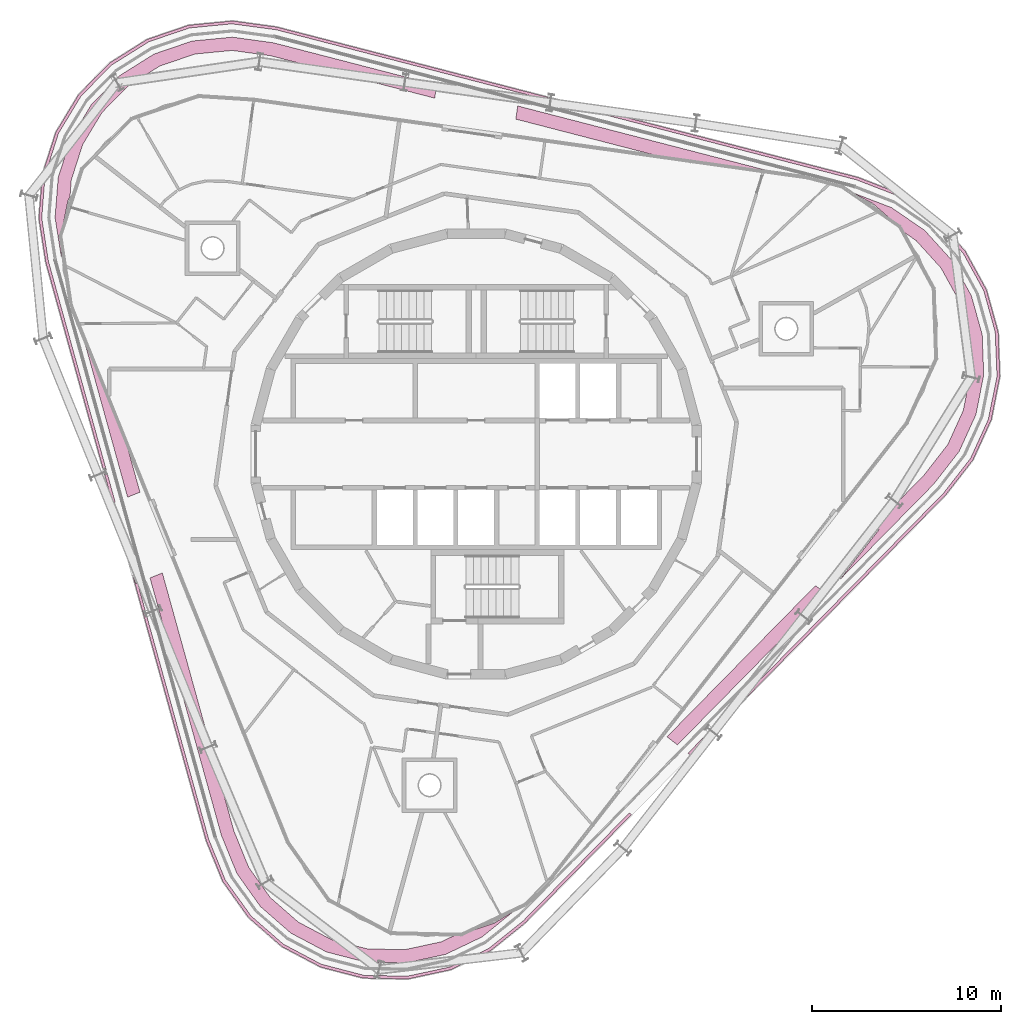
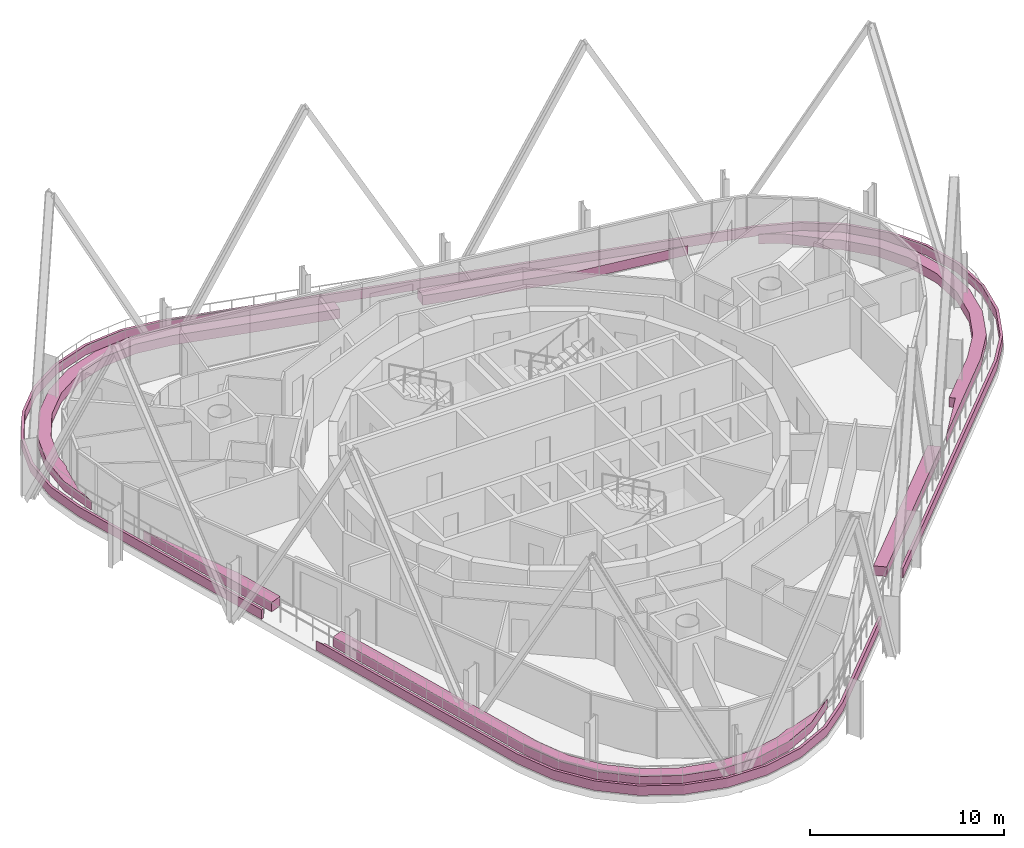
# One storey, part 17 of 17: 8 furniture elements.
"""IFC4 building model written with IfcOpenShell, lengths in metres."""

from ifc_helpers import new_model, si_unit, direction, frame, origin, place, context, subcontext, project, spatial, polyline, outline, extrude, element, save


model = new_model("IFC4")

# Units and contexts
model_context = context("Model", 3, precision=1e-05, world=origin(), true_north=direction((0.0, 1.0)))
body_context = subcontext(model_context, "Body", "Model", "MODEL_VIEW")
ifc_project = project(units=[si_unit("LENGTHUNIT", "METRE"), si_unit("AREAUNIT", "SQUARE_METRE"), si_unit("VOLUMEUNIT", "CUBIC_METRE"), si_unit("PLANEANGLEUNIT", "RADIAN"), si_unit("MASSUNIT", "GRAM", prefix="KILO")], contexts=[model_context])

# Site, building, storey
site_placement = place(None, origin())
site = spatial("IfcSite", under=ifc_project, at=site_placement, CompositionType="ELEMENT")
building_placement = place(site_placement, origin())
building = spatial("IfcBuilding", under=site, at=building_placement, Name="Spindle Arch Residences", CompositionType="ELEMENT")
storey_placement = place(building_placement, frame((0.0, 0.0, 333.0)))
storey = spatial("IfcBuildingStorey", under=building, at=storey_placement, Name="L85", CompositionType="ELEMENT", Elevation=333.0)

# Furniture
furniture_1_placement = place(storey_placement, frame((0.0, 0.0, 0.030029296875)))
element("IfcFurniture", 1, at=furniture_1_placement, inside=storey, Name="PLANTER L84 1", ObjectType="PLANTER", PredefinedType="USERDEFINED", context=body_context, shape_type="SweptSolid", body=[
    extrude(outline(polyline([(-1.344970703125, -27.257080078125), (-3.6259765625, -27.748779296875), (-5.958984375, -27.701416015625), (-8.218017578125, -27.1171875), (-10.281494140625, -26.027587890625), (-12.0380859375, -24.49169921875), (-13.39306640625, -22.592041015625), (-14.274658203125, -20.428466796875), (-18.16796875, -6.388916015625), (-17.983154296875, -6.8466796875), (-17.895263671875, -6.81103515625), (-14.1376953125, -20.360107421875), (-13.260009765625, -22.515380859375), (-11.895263671875, -24.417236328125), (-10.192138671875, -25.90283203125), (-8.197021484375, -26.95849609375), (-5.94091796875, -27.548828125), (-3.6435546875, -27.59619140625), (-1.3974609375, -27.11279296875), (0.6435546875, -26.142333984375), (2.4921875, -24.66357421875), (8.090087890625, -18.96728515625), (8.209228515625, -19.060302734375), (2.580810546875, -24.78759765625), (0.760986328125, -26.25244140625), (-1.344970703125, -27.257080078125)])), origin(), (0.0, 0.0, 1.0), 0.599853515625),
])
furniture_2_placement = place(storey_placement, frame((0.0, 0.0, 0.030029296875)))
element("IfcFurniture", 2, at=furniture_2_placement, inside=storey, Name="PLANTER L84 2", ObjectType="PLANTER", PredefinedType="USERDEFINED", context=body_context, shape_type="SweptSolid", body=[
    extrude(outline(polyline([(-22.757080078125, 10.15869140625), (-23.11572265625, 12.46728515625), (-22.932861328125, 14.79345703125), (-22.21826171875, 17.0146484375), (-21.010498046875, 19.01123046875), (-19.375, 20.675537109375), (-17.39990234375, 21.917724609375), (-15.19140625, 22.671142578125), (-12.86865234375, 22.894775390625), (-10.55419921875, 22.576171875), (20.176025390625, 14.62890625), (22.354736328125, 13.785400390625), (24.27783203125, 12.463623046875), (25.84423828125, 10.734130859375), (26.969482421875, 8.68994140625), (27.593017578125, 6.44140625), (27.681396484375, 4.10986328125), (27.2294921875, 1.820556640625), (26.26171875, -0.302734375), (24.828857421875, -2.14794921875), (11.31298828125, -15.901611328125), (11.194091796875, -15.80859375), (24.703369140625, -2.0615234375), (26.12890625, -0.225830078125), (27.068603515625, 1.82958984375), (27.528076171875, 4.118896484375), (27.432861328125, 6.457763671875), (26.826171875, 8.634765625), (25.740966796875, 10.610595703125), (24.14697265625, 12.371337890625), (22.280517578125, 13.65087890625), (20.1103515625, 14.490966796875), (-10.56640625, 22.42431640625), (-12.91259765625, 22.73974609375), (-15.15625, 22.521728515625), (-17.296142578125, 21.794677734375), (-19.276611328125, 20.557861328125), (-20.89111328125, 18.914794921875), (-22.07958984375, 16.948486328125), (-22.787841796875, 14.723388671875), (-22.96240234375, 12.47021484375), (-22.61279296875, 10.20751953125), (-19.07861328125, -2.543701171875), (-19.21875, -2.600341796875), (-22.757080078125, 10.15869140625)])), origin(), (0.0, 0.0, 1.0), 0.599853515625),
])
furniture_3_placement = place(storey_placement, frame((0.0, 0.0, 0.030029296875)))
element("IfcFurniture", 3, at=furniture_3_placement, inside=storey, Name="PLANTER L84 3", ObjectType="PLANTER", PredefinedType="USERDEFINED", context=body_context, shape_type="SweptSolid", body=[
    extrude(outline(polyline([(22.3720703125, 12.00830078125), (20.968505859375, 13.24267578125), (19.859619140625, 13.832763671875), (21.955322265625, 13.028564453125), (23.714599609375, 11.8193359375), (25.1474609375, 10.2373046875), (26.177001953125, 8.3671875), (26.74755859375, 6.31005859375), (26.828125, 4.177001953125), (26.414794921875, 2.082763671875), (25.529541015625, 0.14013671875), (24.187744140625, -1.58740234375), (19.23974609375, -6.62255859375), (21.29541015625, -3.991455078125), (21.0400390625, -3.791748046875), (23.657958984375, -1.1279296875), (24.92626953125, 0.505126953125), (25.743408203125, 2.298583984375), (26.12451171875, 4.2265625), (26.05078125, 6.201904296875), (25.521484375, 8.1064453125), (24.56982421875, 9.832275390625), (23.25439453125, 11.284423828125), (22.53271484375, 11.7822265625), (22.3720703125, 12.00830078125)])), origin(), (0.0, 0.0, 1.0), 0.599853515625),
])
furniture_4_placement = place(storey_placement, frame((0.0, 0.0, 0.030029296875)))
element("IfcFurniture", 4, at=furniture_4_placement, inside=storey, Name="PLANTER L84 4", ObjectType="PLANTER", PredefinedType="USERDEFINED", context=body_context, shape_type="SweptSolid", body=[
    extrude(outline(polyline([(18.491455078125, -7.38427734375), (10.638916015625, -15.375), (10.083740234375, -14.941162109375), (17.936279296875, -6.950439453125), (18.491455078125, -7.38427734375)])), origin(), (0.0, 0.0, 1.0), 0.599853515625),
])
furniture_5_placement = place(storey_placement, frame((0.0, 0.0, 0.030029296875)))
element("IfcFurniture", 5, at=furniture_5_placement, inside=storey, Name="PLANTER L84 5", ObjectType="PLANTER", PredefinedType="USERDEFINED", context=body_context, shape_type="SweptSolid", body=[
    extrude(outline(polyline([(2.095703125, 17.703857421875), (2.19384765625, 18.4013671875), (16.21337890625, 14.775634765625), (10.090087890625, 15.63623046875), (2.095703125, 17.703857421875)])), origin(), (0.0, 0.0, 1.0), 0.599853515625),
])
furniture_6_placement = place(storey_placement, frame((0.0, 0.0, 0.030029296875)))
element("IfcFurniture", 6, at=furniture_6_placement, inside=storey, Name="PLANTER L84 6", ObjectType="PLANTER", PredefinedType="USERDEFINED", context=body_context, shape_type="SweptSolid", body=[
    extrude(outline(polyline([(-10.85205078125, 21.05224609375), (-12.900390625, 21.334228515625), (-14.8623046875, 21.145263671875), (-16.727783203125, 20.509033203125), (-18.400634765625, 19.455810546875), (-19.77783203125, 18.053955078125), (-20.7998046875, 16.362060546875), (-21.4013671875, 14.4912109375), (-21.469970703125, 13.622802734375), (-21.5869140625, 13.364990234375), (-21.9521484375, 11.543701171875), (-21.909423828125, 10.282470703125), (-22.2607421875, 12.49951171875), (-22.09326171875, 14.627685546875), (-21.439453125, 16.65966796875), (-20.334716796875, 18.486328125), (-18.83837890625, 20.009033203125), (-17.031494140625, 21.1455078125), (-15.010986328125, 21.83447265625), (-12.88623046875, 22.0390625), (-10.718994140625, 21.740966796875), (-2.093505859375, 19.51025390625), (-2.191650390625, 18.8125), (-10.85205078125, 21.05224609375)])), origin(), (0.0, 0.0, 1.0), 0.599853515625),
])
furniture_7_placement = place(storey_placement, frame((0.0, 0.0, 0.030029296875)))
element("IfcFurniture", 7, at=furniture_7_placement, inside=storey, Name="PLANTER L84 7", ObjectType="PLANTER", PredefinedType="USERDEFINED", context=body_context, shape_type="SweptSolid", body=[
    extrude(outline(polyline([(-17.772216796875, -2.015869140625), (-18.425537109375, -2.27978515625), (-20.90283203125, 6.6533203125), (-18.58642578125, 0.920166015625), (-17.772216796875, -2.015869140625)])), origin(), (0.0, 0.0, 1.0), 0.599853515625),
])
furniture_8_placement = place(storey_placement, frame((0.0, 0.0, 0.030029296875)))
element("IfcFurniture", 8, at=furniture_8_placement, inside=storey, Name="PLANTER L84 8", ObjectType="PLANTER", PredefinedType="USERDEFINED", context=body_context, shape_type="SweptSolid", body=[
    extrude(outline(polyline([(-12.805908203125, -19.92431640625), (-12.025634765625, -21.83935546875), (-10.881103515625, -23.44384765625), (-9.3974609375, -24.7412109375), (-7.64892578125, -25.663330078125), (-5.746337890625, -26.155029296875), (-3.77001953125, -26.194091796875), (-1.848876953125, -25.77978515625), (-1.062744140625, -25.405029296875), (-0.78076171875, -25.37744140625), (0.97900390625, -24.782958984375), (2.0498046875, -24.115234375), (0.305419921875, -25.528076171875), (-1.621337890625, -26.447021484375), (-3.7080078125, -26.89697265625), (-5.84228515625, -26.853515625), (-7.908935546875, -26.319091796875), (-9.796630859375, -25.322265625), (-11.40380859375, -23.917236328125), (-12.643310546875, -22.17919921875), (-13.46875, -20.153564453125), (-17.241943359375, -6.547119140625), (-16.5888671875, -6.283203125), (-12.805908203125, -19.92431640625)])), origin(), (0.0, 0.0, 1.0), 0.599853515625),
])

save(model, "model.ifc")
